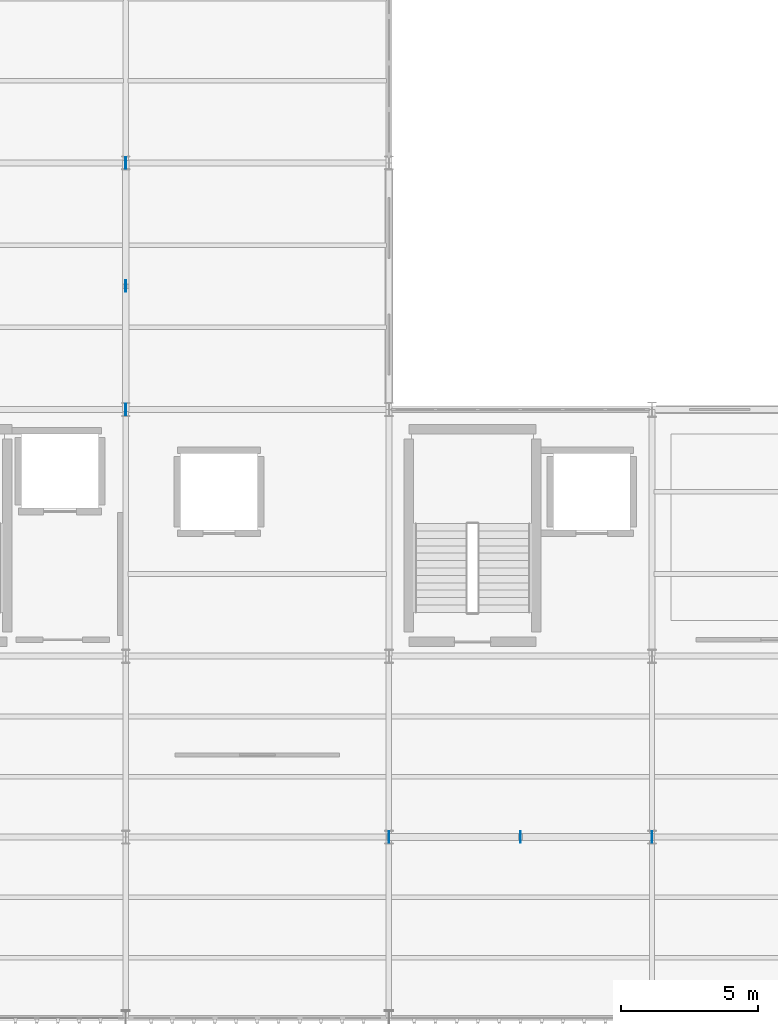
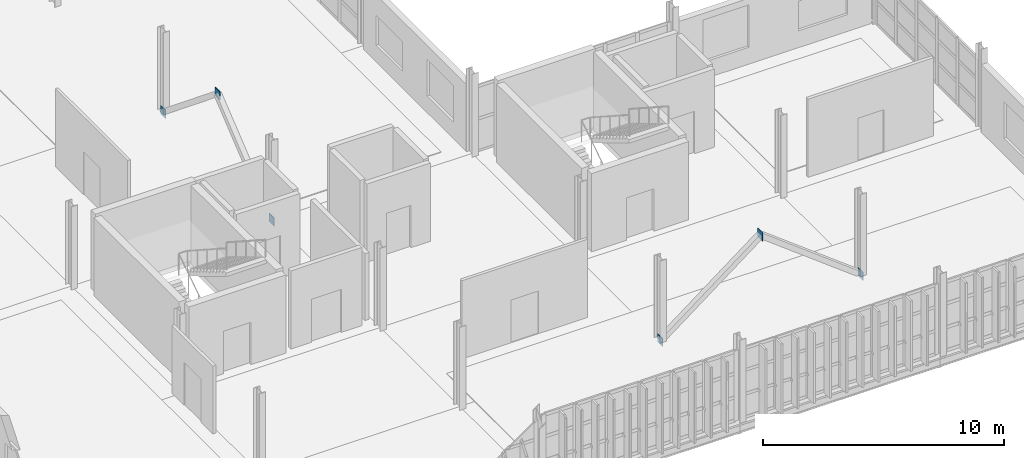
# One storey, part 23 of 52: 6 plates.
"""IFC4 building model written with IfcOpenShell, lengths in metres."""

from ifc_helpers import new_model, si_unit, direction, frame, origin, origin_2d, place, context, subcontext, project, spatial, rectangle, extrude, material, layer, layer_set, type_object, element, save


model = new_model("IFC4")

# Units and contexts
model_context = context("Model", 3, precision=1e-05, world=origin(), true_north=direction((0.0, 1.0)))
body_context = subcontext(model_context, "Body", "Model", "MODEL_VIEW")
ifc_project = project(units=[si_unit("LENGTHUNIT", "METRE"), si_unit("AREAUNIT", "SQUARE_METRE"), si_unit("VOLUMEUNIT", "CUBIC_METRE"), si_unit("PLANEANGLEUNIT", "RADIAN"), si_unit("MASSUNIT", "GRAM", prefix="KILO")], contexts=[model_context])

# Site, building, storey
site_placement = place(None, origin())
site = spatial("IfcSite", under=ifc_project, at=site_placement, CompositionType="ELEMENT")
building_placement = place(site_placement, origin())
building = spatial("IfcBuilding", under=site, at=building_placement, Name="Zarnetskaya Central Station", CompositionType="ELEMENT")
storey_placement = place(building_placement, frame((0.0, 0.0, 14.39990234375)))
storey = spatial("IfcBuildingStorey", under=building, at=storey_placement, Name="L03", CompositionType="ELEMENT", Elevation=14.39990234375)

# Plates
ifc_material = material(Name="Steel S355", Category="steel")
ifc_layer = layer(ifc_material, 0.028076171875, Name="Steel S355", Category="steel")
ifc_layer_set = layer_set([ifc_layer], Name="Steel S355")
plate_type = type_object("IfcPlateType", Name="ND-GUSSET-28", PredefinedType="USERDEFINED", material=ifc_layer_set)
for number, where, z_axis, x_axis, name in (
    (1, (19.199951171875, 22.199951171875, -0.2099609375), (0.0, 0.0, 1.0), (1.0, 0.0, 0.0), "Structural member end gusset plate 122"),
    (2, (19.199951171875, 26.699951171875, 3.4501953125), (0.0, 0.0, 1.0), (1.0, 0.0, 0.0), "Structural member end gusset plate 123"),
    (3, (19.199951171875, 31.199951171875, -0.2099609375), (0.0, 0.0, 1.0), (1.0, 0.0, 0.0), "Structural member end gusset plate 124"),
    (4, (28.800048828125, 6.60009765625, -0.2099609375), (0.0, 0.0, 1.0), (1.0, 0.0, 0.0), "Structural member end gusset plate 134"),
    (5, (33.60009765625, 6.60009765625, 3.4501953125), (0.0, 0.0, 1.0), (1.0, 0.0, 0.0), "Structural member end gusset plate 135"),
    (6, (38.39990234375, 6.60009765625, -0.2099609375), (0.0, 0.0, 1.0), (1.0, 0.0, 0.0), "Structural member end gusset plate 136"),
):
    element("IfcPlate", number, at=place(storey_placement, frame(where, z_axis=z_axis, x_axis=x_axis)), inside=storey, type_object=plate_type, Name=name, ObjectType="GUSSET PLATE", PredefinedType="USERDEFINED", context=body_context, shape_type="SweptSolid", body=[
        extrude(rectangle(XDim=0.028076171875, YDim=0.419921875, at=origin_2d()), origin(), (0.0, 0.0, 1.0), 0.419921875),
    ])

save(model, "model.ifc")
